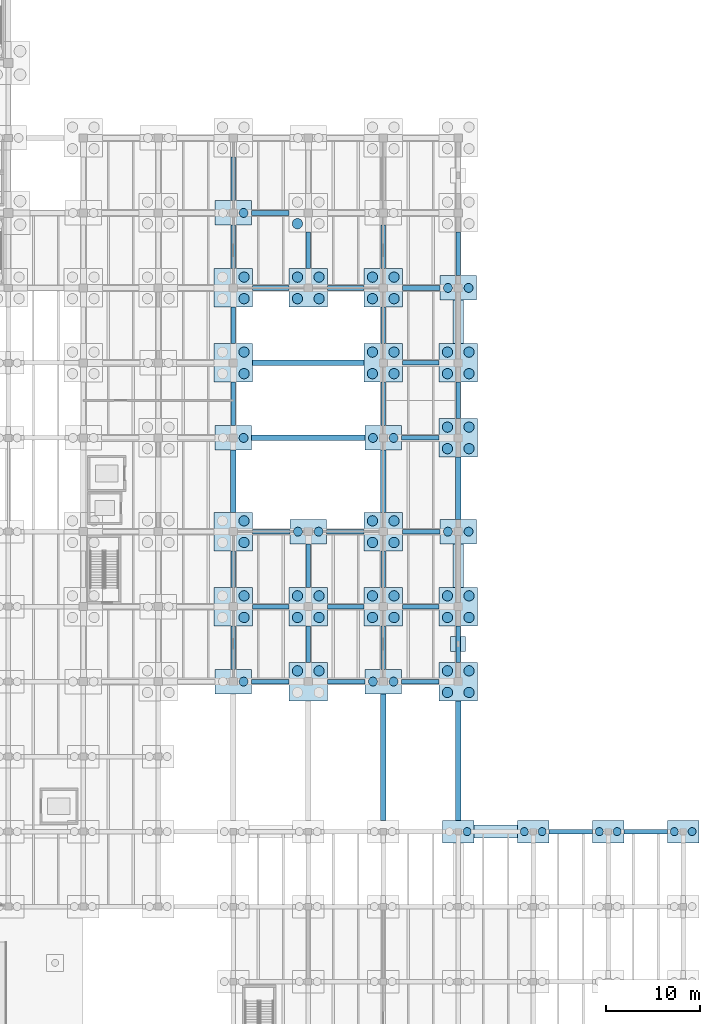
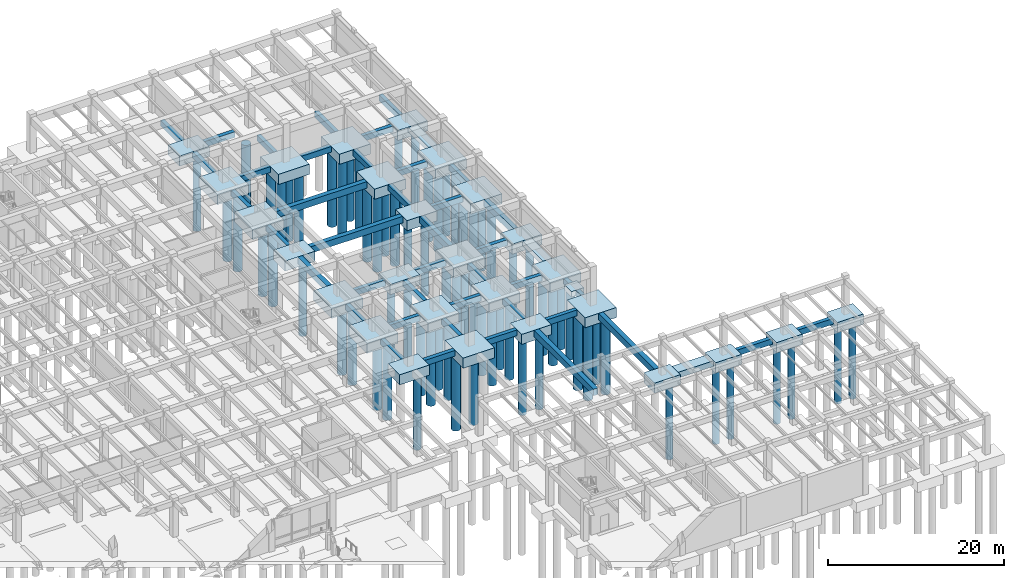
# One storey, part 8 of 44: 72 footings, 71 piles.
"""IFC4 building model written with IfcOpenShell, lengths in metres."""

from ifc_helpers import new_model, si_unit, direction, frame, origin, origin_2d, place, context, subcontext, project, spatial, rectangle, circle, extrude, material, material_profile, profile_set, type_object, element, save


model = new_model("IFC4")

# Units and contexts
model_context = context("Model", 3, precision=1e-05, world=origin(), true_north=direction((0.0, 1.0)))
body_context = subcontext(model_context, "Body", "Model", "MODEL_VIEW")
ifc_project = project(units=[si_unit("LENGTHUNIT", "METRE"), si_unit("AREAUNIT", "SQUARE_METRE"), si_unit("VOLUMEUNIT", "CUBIC_METRE"), si_unit("PLANEANGLEUNIT", "RADIAN"), si_unit("MASSUNIT", "GRAM", prefix="KILO")], contexts=[model_context])

# Site, building, storey
site_placement = place(None, origin())
site = spatial("IfcSite", under=ifc_project, at=site_placement, CompositionType="ELEMENT")
building_placement = place(site_placement, origin())
building = spatial("IfcBuilding", under=site, at=building_placement, Name="Pecanmere Concourse Central Library", CompositionType="ELEMENT")
storey_placement = place(building_placement, frame((0.0, 0.0, -5.39990234375)))
storey = spatial("IfcBuildingStorey", under=building, at=storey_placement, Name="B1", CompositionType="ELEMENT", Elevation=-5.39990234375)

# Footings
ifc_material_1 = material(Name="Concrete C40/50", Category="concrete")
ifc_material_profile_1 = material_profile(ifc_material_1, rectangle(XDim=0.5, YDim=0.800048828125, at=origin_2d()), Name="RC 500x800")
ifc_profile_set_1 = profile_set([ifc_material_profile_1], Name="Concrete C40/50")
footing_type_1 = type_object("IfcFootingType", Name="GBEAM_500x800", PredefinedType="FOOTING_BEAM", material=ifc_profile_set_1)
for number, where, z_axis, x_axis, name in (
    (1, (164.0, 32.0, -0.80029296875), (0.0, 0.0, 1.0), (1.0, 0.0, 0.0), "Foundation Tie Beam X-079"),
    (2, (172.0, 32.0, -0.80029296875), (0.0, 0.0, 1.0), (1.0, 0.0, 0.0), "Foundation Tie Beam X-080"),
):
    element("IfcFooting", number, at=place(storey_placement, frame(where, z_axis=z_axis, x_axis=x_axis)), inside=storey, type_object=footing_type_1, Name=name, PredefinedType="FOOTING_BEAM", context=body_context, shape_type="SweptSolid", body=[
        extrude(rectangle(XDim=4.60009765625, YDim=0.5, at=origin_2d()), origin(), (0.0, 0.0, 1.0), 0.800048828125),
    ])
for number, where, z_axis, x_axis, name in (
    (3, (131.949951171875, 48.0, -0.80029296875), (0.0, 0.0, 1.0), (1.0, 0.0, 0.0), "Foundation Tie Beam X-102"),
    (4, (140.050048828125, 48.0, -0.80029296875), (0.0, 0.0, 1.0), (1.0, 0.0, 0.0), "Foundation Tie Beam X-103"),
    (5, (147.949951171875, 48.0, -0.80029296875), (0.0, 0.0, 1.0), (1.0, 0.0, 0.0), "Foundation Tie Beam X-104"),
):
    element("IfcFooting", number, at=place(storey_placement, frame(where, z_axis=z_axis, x_axis=x_axis)), inside=storey, type_object=footing_type_1, Name=name, PredefinedType="FOOTING_BEAM", context=body_context, shape_type="SweptSolid", body=[
        extrude(rectangle(XDim=4.0, YDim=0.5, at=origin_2d()), origin(), (0.0, 0.0, 1.0), 0.800048828125),
    ])
for number, where, z_axis, x_axis, name in (
    (6, (132.0, 56.0, -0.80029296875), (0.0, 0.0, 1.0), (1.0, 0.0, 0.0), "Foundation Tie Beam X-118"),
    (7, (140.0, 56.0, -0.80029296875), (0.0, 0.0, 1.0), (1.0, 0.0, 0.0), "Foundation Tie Beam X-119"),
    (8, (148.0, 56.0, -0.80029296875), (0.0, 0.0, 1.0), (1.0, 0.0, 0.0), "Foundation Tie Beam X-120"),
):
    element("IfcFooting", number, at=place(storey_placement, frame(where, z_axis=z_axis, x_axis=x_axis)), inside=storey, type_object=footing_type_1, Name=name, PredefinedType="FOOTING_BEAM", context=body_context, shape_type="SweptSolid", body=[
        extrude(rectangle(XDim=3.89990234375, YDim=0.5, at=origin_2d()), origin(), (0.0, 0.0, 1.0), 0.800048828125),
    ])
for number, where, z_axis, x_axis, name in (
    (9, (132.050048828125, 64.0, -0.80029296875), (0.0, 0.0, 1.0), (1.0, 0.0, 0.0), "Foundation Tie Beam X-134"),
    (10, (139.949951171875, 64.0, -0.80029296875), (0.0, 0.0, 1.0), (1.0, 0.0, 0.0), "Foundation Tie Beam X-135"),
    (11, (148.050048828125, 64.0, -0.80029296875), (0.0, 0.0, 1.0), (1.0, 0.0, 0.0), "Foundation Tie Beam X-136"),
    (12, (147.949951171875, 74.0, -0.80029296875), (0.0, 0.0, 1.0), (1.0, 0.0, 0.0), "Foundation Tie Beam X-150"),
):
    element("IfcFooting", number, at=place(storey_placement, frame(where, z_axis=z_axis, x_axis=x_axis)), inside=storey, type_object=footing_type_1, Name=name, PredefinedType="FOOTING_BEAM", context=body_context, shape_type="SweptSolid", body=[
        extrude(rectangle(XDim=4.0, YDim=0.5, at=origin_2d()), origin(), (0.0, 0.0, 1.0), 0.800048828125),
    ])
for number, where, z_axis, x_axis, name in (
    (13, (148.0, 82.0, -0.80029296875), (0.0, 0.0, 1.0), (1.0, 0.0, 0.0), "Foundation Tie Beam X-164"),
    (14, (132.0, 90.0, -0.80029296875), (0.0, 0.0, 1.0), (1.0, 0.0, 0.0), "Foundation Tie Beam X-178"),
    (15, (140.0, 90.0, -0.80029296875), (0.0, 0.0, 1.0), (1.0, 0.0, 0.0), "Foundation Tie Beam X-179"),
):
    element("IfcFooting", number, at=place(storey_placement, frame(where, z_axis=z_axis, x_axis=x_axis)), inside=storey, type_object=footing_type_1, Name=name, PredefinedType="FOOTING_BEAM", context=body_context, shape_type="SweptSolid", body=[
        extrude(rectangle(XDim=3.89990234375, YDim=0.5, at=origin_2d()), origin(), (0.0, 0.0, 1.0), 0.800048828125),
    ])
for number, where, z_axis, x_axis, name in (
    (16, (148.050048828125, 90.0, -0.80029296875), (0.0, 0.0, 1.0), (1.0, 0.0, 0.0), "Foundation Tie Beam X-180"),
    (17, (131.949951171875, 98.0, -0.80029296875), (0.0, 0.0, 1.0), (1.0, 0.0, 0.0), "Foundation Tie Beam X-194"),
):
    element("IfcFooting", number, at=place(storey_placement, frame(where, z_axis=z_axis, x_axis=x_axis)), inside=storey, type_object=footing_type_1, Name=name, PredefinedType="FOOTING_BEAM", context=body_context, shape_type="SweptSolid", body=[
        extrude(rectangle(XDim=4.0, YDim=0.5, at=origin_2d()), origin(), (0.0, 0.0, 1.0), 0.800048828125),
    ])
footing_1_placement = place(storey_placement, frame((128.0, 51.625, -0.80029296875), z_axis=(0.0, 0.0, 1.0), x_axis=(0.0, 1.0, 0.0)))
element("IfcFooting", 18, at=footing_1_placement, inside=storey, type_object=footing_type_1, Name="Foundation Tie Beam Y-383", PredefinedType="FOOTING_BEAM", context=body_context, shape_type="SweptSolid", body=[
    extrude(rectangle(XDim=4.64990234375, YDim=0.5, at=origin_2d()), origin(), (0.0, 0.0, 1.0), 0.800048828125),
])
footing_2_placement = place(storey_placement, frame((128.0, 60.0, -0.80029296875), z_axis=(0.0, 0.0, 1.0), x_axis=(0.0, 1.0, 0.0)))
element("IfcFooting", 19, at=footing_2_placement, inside=storey, type_object=footing_type_1, Name="Foundation Tie Beam Y-384", PredefinedType="FOOTING_BEAM", context=body_context, shape_type="SweptSolid", body=[
    extrude(rectangle(XDim=3.89990234375, YDim=0.5, at=origin_2d()), origin(), (0.0, 0.0, 1.0), 0.800048828125),
])
footing_3_placement = place(storey_placement, frame((128.0, 77.625, -0.80029296875), z_axis=(0.0, 0.0, 1.0), x_axis=(0.0, 1.0, 0.0)))
element("IfcFooting", 20, at=footing_3_placement, inside=storey, type_object=footing_type_1, Name="Foundation Tie Beam Y-386", PredefinedType="FOOTING_BEAM", context=body_context, shape_type="SweptSolid", body=[
    extrude(rectangle(XDim=4.64990234375, YDim=0.5, at=origin_2d()), origin(), (0.0, 0.0, 1.0), 0.800048828125),
])
footing_4_placement = place(storey_placement, frame((128.0, 86.0, -0.80029296875), z_axis=(0.0, 0.0, 1.0), x_axis=(0.0, 1.0, 0.0)))
element("IfcFooting", 21, at=footing_4_placement, inside=storey, type_object=footing_type_1, Name="Foundation Tie Beam Y-387", PredefinedType="FOOTING_BEAM", context=body_context, shape_type="SweptSolid", body=[
    extrude(rectangle(XDim=3.89990234375, YDim=0.5, at=origin_2d()), origin(), (0.0, 0.0, 1.0), 0.800048828125),
])
for number, where, z_axis, x_axis, name in (
    (22, (128.0, 94.375, -0.80029296875), (0.0, 0.0, 1.0), (0.0, 1.0, 0.0), "Foundation Tie Beam Y-388"),
    (23, (128.0, 101.625, -0.80029296875), (0.0, 0.0, 1.0), (0.0, 1.0, 0.0), "Foundation Tie Beam Y-389"),
):
    element("IfcFooting", number, at=place(storey_placement, frame(where, z_axis=z_axis, x_axis=x_axis)), inside=storey, type_object=footing_type_1, Name=name, PredefinedType="FOOTING_BEAM", context=body_context, shape_type="SweptSolid", body=[
        extrude(rectangle(XDim=4.64990234375, YDim=0.5, at=origin_2d()), origin(), (0.0, 0.0, 1.0), 0.800048828125),
    ])
footing_5_placement = place(storey_placement, frame((136.0, 52.0, -0.80029296875), z_axis=(0.0, 0.0, 1.0), x_axis=(0.0, 1.0, 0.0)))
element("IfcFooting", 24, at=footing_5_placement, inside=storey, type_object=footing_type_1, Name="Foundation Tie Beam Y-395", PredefinedType="FOOTING_BEAM", context=body_context, shape_type="SweptSolid", body=[
    extrude(rectangle(XDim=3.89990234375, YDim=0.5, at=origin_2d()), origin(), (0.0, 0.0, 1.0), 0.800048828125),
])
footing_6_placement = place(storey_placement, frame((136.0, 60.375, -0.80029296875), z_axis=(0.0, 0.0, 1.0), x_axis=(0.0, 1.0, 0.0)))
element("IfcFooting", 25, at=footing_6_placement, inside=storey, type_object=footing_type_1, Name="Foundation Tie Beam Y-396", PredefinedType="FOOTING_BEAM", context=body_context, shape_type="SweptSolid", body=[
    extrude(rectangle(XDim=4.64990234375, YDim=0.5, at=origin_2d()), origin(), (0.0, 0.0, 1.0), 0.800048828125),
])
footing_7_placement = place(storey_placement, frame((136.0, 94.0, -0.80029296875), z_axis=(0.0, 0.0, 1.0), x_axis=(0.0, 1.0, 0.0)))
element("IfcFooting", 26, at=footing_7_placement, inside=storey, type_object=footing_type_1, Name="Foundation Tie Beam Y-397", PredefinedType="FOOTING_BEAM", context=body_context, shape_type="SweptSolid", body=[
    extrude(rectangle(XDim=3.89990234375, YDim=0.5, at=origin_2d()), origin(), (0.0, 0.0, 1.0), 0.800048828125),
])
footing_8_placement = place(storey_placement, frame((144.0, 51.625, -0.80029296875), z_axis=(0.0, 0.0, 1.0), x_axis=(0.0, 1.0, 0.0)))
element("IfcFooting", 27, at=footing_8_placement, inside=storey, type_object=footing_type_1, Name="Foundation Tie Beam Y-404", PredefinedType="FOOTING_BEAM", context=body_context, shape_type="SweptSolid", body=[
    extrude(rectangle(XDim=4.64990234375, YDim=0.5, at=origin_2d()), origin(), (0.0, 0.0, 1.0), 0.800048828125),
])
footing_9_placement = place(storey_placement, frame((144.0, 60.0, -0.80029296875), z_axis=(0.0, 0.0, 1.0), x_axis=(0.0, 1.0, 0.0)))
element("IfcFooting", 28, at=footing_9_placement, inside=storey, type_object=footing_type_1, Name="Foundation Tie Beam Y-405", PredefinedType="FOOTING_BEAM", context=body_context, shape_type="SweptSolid", body=[
    extrude(rectangle(XDim=3.89990234375, YDim=0.5, at=origin_2d()), origin(), (0.0, 0.0, 1.0), 0.800048828125),
])
footing_10_placement = place(storey_placement, frame((144.0, 77.625, -0.80029296875), z_axis=(0.0, 0.0, 1.0), x_axis=(0.0, 1.0, 0.0)))
element("IfcFooting", 29, at=footing_10_placement, inside=storey, type_object=footing_type_1, Name="Foundation Tie Beam Y-407", PredefinedType="FOOTING_BEAM", context=body_context, shape_type="SweptSolid", body=[
    extrude(rectangle(XDim=4.64990234375, YDim=0.5, at=origin_2d()), origin(), (0.0, 0.0, 1.0), 0.800048828125),
])
footing_11_placement = place(storey_placement, frame((144.0, 86.0, -0.80029296875), z_axis=(0.0, 0.0, 1.0), x_axis=(0.0, 1.0, 0.0)))
element("IfcFooting", 30, at=footing_11_placement, inside=storey, type_object=footing_type_1, Name="Foundation Tie Beam Y-408", PredefinedType="FOOTING_BEAM", context=body_context, shape_type="SweptSolid", body=[
    extrude(rectangle(XDim=3.89990234375, YDim=0.5, at=origin_2d()), origin(), (0.0, 0.0, 1.0), 0.800048828125),
])
footing_12_placement = place(storey_placement, frame((144.0, 94.375, -0.80029296875), z_axis=(0.0, 0.0, 1.0), x_axis=(0.0, 1.0, 0.0)))
element("IfcFooting", 31, at=footing_12_placement, inside=storey, type_object=footing_type_1, Name="Foundation Tie Beam Y-409", PredefinedType="FOOTING_BEAM", context=body_context, shape_type="SweptSolid", body=[
    extrude(rectangle(XDim=4.64990234375, YDim=0.5, at=origin_2d()), origin(), (0.0, 0.0, 1.0), 0.800048828125),
])
for number, where, z_axis, x_axis, name in (
    (32, (152.0, 52.0, -0.80029296875), (0.0, 0.0, 1.0), (0.0, 1.0, 0.0), "Foundation Tie Beam Y-416"),
    (33, (152.0, 78.0, -0.80029296875), (0.0, 0.0, 1.0), (0.0, 1.0, 0.0), "Foundation Tie Beam Y-419"),
):
    element("IfcFooting", number, at=place(storey_placement, frame(where, z_axis=z_axis, x_axis=x_axis)), inside=storey, type_object=footing_type_1, Name=name, PredefinedType="FOOTING_BEAM", context=body_context, shape_type="SweptSolid", body=[
        extrude(rectangle(XDim=3.89990234375, YDim=0.5, at=origin_2d()), origin(), (0.0, 0.0, 1.0), 0.800048828125),
    ])
footing_13_placement = place(storey_placement, frame((152.0, 93.625, -0.80029296875), z_axis=(0.0, 0.0, 1.0), x_axis=(0.0, 1.0, 0.0)))
element("IfcFooting", 34, at=footing_13_placement, inside=storey, type_object=footing_type_1, Name="Foundation Tie Beam Y-421", PredefinedType="FOOTING_BEAM", context=body_context, shape_type="SweptSolid", body=[
    extrude(rectangle(XDim=4.64990234375, YDim=0.5, at=origin_2d()), origin(), (0.0, 0.0, 1.0), 0.800048828125),
])
ifc_material_2 = material(Name="Concrete C40/50", Category="concrete")
ifc_material_profile_2 = material_profile(ifc_material_2, rectangle(XDim=0.60009765625, YDim=0.89990234375, at=origin_2d()), Name="RC 600x900")
ifc_profile_set_2 = profile_set([ifc_material_profile_2], Name="Concrete C40/50")
footing_type_2 = type_object("IfcFootingType", Name="GBEAM_600x900", PredefinedType="FOOTING_BEAM", material=ifc_profile_set_2)
footing_14_placement = place(storey_placement, frame((136.0, 74.0, -0.900146484375), z_axis=(0.0, 0.0, 1.0), x_axis=(1.0, 0.0, 0.0)))
element("IfcFooting", 35, at=footing_14_placement, inside=storey, type_object=footing_type_2, Name="Foundation Tie Beam X-149", PredefinedType="FOOTING_BEAM", context=body_context, shape_type="SweptSolid", body=[
    extrude(rectangle(XDim=12.10009765625, YDim=0.60009765625, at=origin_2d()), origin(), (0.0, 0.0, 1.0), 0.89990234375),
])
footing_15_placement = place(storey_placement, frame((136.0, 82.0, -0.900146484375), z_axis=(0.0, 0.0, 1.0), x_axis=(1.0, 0.0, 0.0)))
element("IfcFooting", 36, at=footing_15_placement, inside=storey, type_object=footing_type_2, Name="Foundation Tie Beam X-163", PredefinedType="FOOTING_BEAM", context=body_context, shape_type="SweptSolid", body=[
    extrude(rectangle(XDim=11.89990234375, YDim=0.60009765625, at=origin_2d()), origin(), (0.0, 0.0, 1.0), 0.89990234375),
])
footing_16_placement = place(storey_placement, frame((128.0, 69.375, -0.900146484375), z_axis=(0.0, 0.0, 1.0), x_axis=(0.0, 1.0, 0.0)))
element("IfcFooting", 37, at=footing_16_placement, inside=storey, type_object=footing_type_2, Name="Foundation Tie Beam Y-385", PredefinedType="FOOTING_BEAM", context=body_context, shape_type="SweptSolid", body=[
    extrude(rectangle(XDim=6.64990234375, YDim=0.60009765625, at=origin_2d()), origin(), (0.0, 0.0, 1.0), 0.89990234375),
])
footing_17_placement = place(storey_placement, frame((144.0, 39.949951171875, -0.900146484375), z_axis=(0.0, 0.0, 1.0), x_axis=(0.0, 1.0, 0.0)))
element("IfcFooting", 38, at=footing_17_placement, inside=storey, type_object=footing_type_2, Name="Foundation Tie Beam Y-403", PredefinedType="FOOTING_BEAM", context=body_context, shape_type="SweptSolid", body=[
    extrude(rectangle(XDim=13.5, YDim=0.60009765625, at=origin_2d()), origin(), (0.0, 0.0, 1.0), 0.89990234375),
])
footing_18_placement = place(storey_placement, frame((144.0, 69.375, -0.900146484375), z_axis=(0.0, 0.0, 1.0), x_axis=(0.0, 1.0, 0.0)))
element("IfcFooting", 39, at=footing_18_placement, inside=storey, type_object=footing_type_2, Name="Foundation Tie Beam Y-406", PredefinedType="FOOTING_BEAM", context=body_context, shape_type="SweptSolid", body=[
    extrude(rectangle(XDim=6.64990234375, YDim=0.60009765625, at=origin_2d()), origin(), (0.0, 0.0, 1.0), 0.89990234375),
])
footing_19_placement = place(storey_placement, frame((152.0, 39.574951171875, -0.900146484375), z_axis=(0.0, 0.0, 1.0), x_axis=(0.0, 1.0, 0.0)))
element("IfcFooting", 40, at=footing_19_placement, inside=storey, type_object=footing_type_2, Name="Foundation Tie Beam Y-415", PredefinedType="FOOTING_BEAM", context=body_context, shape_type="SweptSolid", body=[
    extrude(rectangle(XDim=12.75, YDim=0.60009765625, at=origin_2d()), origin(), (0.0, 0.0, 1.0), 0.89990234375),
])
footing_20_placement = place(storey_placement, frame((152.0, 68.625, -0.900146484375), z_axis=(0.0, 0.0, 1.0), x_axis=(0.0, 1.0, 0.0)))
element("IfcFooting", 41, at=footing_20_placement, inside=storey, type_object=footing_type_2, Name="Foundation Tie Beam Y-418", PredefinedType="FOOTING_BEAM", context=body_context, shape_type="SweptSolid", body=[
    extrude(rectangle(XDim=6.64990234375, YDim=0.60009765625, at=origin_2d()), origin(), (0.0, 0.0, 1.0), 0.89990234375),
])
ifc_material_3 = material(Name="Concrete C35/45", Category="concrete")
footing_type_3 = type_object("IfcFootingType", Name="PAD_1600x1600", PredefinedType="PAD_FOOTING", material=ifc_material_3)
footing_21_placement = place(storey_placement, frame((152.0, 52.0, -0.75), z_axis=(0.0, 0.0, 1.0), x_axis=(1.0, 0.0, 0.0)))
element("IfcFooting", 42, at=footing_21_placement, inside=storey, type_object=footing_type_3, Name="Pilaster Pad Footing 03", PredefinedType="PAD_FOOTING", context=body_context, shape_type="SweptSolid", body=[
    extrude(rectangle(XDim=1.60009765625, YDim=1.60009765625, at=origin_2d()), origin(), (0.0, 0.0, 1.0), 0.75),
])
ifc_material_4 = material(Name="Concrete C40/50", Category="concrete")
footing_type_4 = type_object("IfcFootingType", Name="PCAP_3400x2400", PredefinedType="PILE_CAP", material=ifc_material_4)
for number, where, z_axis, x_axis, name in (
    (43, (152.0, 32.0, -1.400146484375), (0.0, 0.0, 1.0), (1.0, 0.0, 0.0), "Drilled Pier Cap PC-05 at (152,32)"),
    (44, (160.0, 32.0, -1.400146484375), (0.0, 0.0, 1.0), (1.0, 0.0, 0.0), "Drilled Pier Cap PC-05 at (160,32)"),
    (45, (168.0, 32.0, -1.400146484375), (0.0, 0.0, 1.0), (1.0, 0.0, 0.0), "Drilled Pier Cap PC-05 at (168,32)"),
    (46, (176.0, 32.0, -1.400146484375), (0.0, 0.0, 1.0), (1.0, 0.0, 0.0), "Drilled Pier Cap PC-05 at (176,32)"),
):
    element("IfcFooting", number, at=place(storey_placement, frame(where, z_axis=z_axis, x_axis=x_axis)), inside=storey, type_object=footing_type_4, Name=name, PredefinedType="PILE_CAP", context=body_context, shape_type="SweptSolid", body=[
        extrude(rectangle(XDim=3.39990234375, YDim=2.39990234375, at=origin_2d()), origin(), (0.0, 0.0, 1.0), 1.39990234375),
    ])
ifc_material_5 = material(Name="Concrete C40/50", Category="concrete")
footing_type_5 = type_object("IfcFootingType", Name="PCAP_3900x2600", PredefinedType="PILE_CAP", material=ifc_material_5)
for number, where, z_axis, x_axis, name in (
    (47, (128.0, 48.0, -1.400146484375), (0.0, 0.0, 1.0), (1.0, 0.0, 0.0), "Drilled Pier Cap PC-04 at (128,48)"),
    (48, (128.0, 74.0, -1.400146484375), (0.0, 0.0, 1.0), (1.0, 0.0, 0.0), "Drilled Pier Cap PC-04 at (128,74)"),
    (49, (128.0, 98.0, -1.400146484375), (0.0, 0.0, 1.0), (1.0, 0.0, 0.0), "Drilled Pier Cap PC-04 at (128,98)"),
    (50, (136.0, 64.0, -1.400146484375), (0.0, 0.0, 1.0), (1.0, 0.0, 0.0), "Drilled Pier Cap PC-04 at (136,64)"),
    (51, (144.0, 48.0, -1.400146484375), (0.0, 0.0, 1.0), (1.0, 0.0, 0.0), "Drilled Pier Cap PC-04 at (144,48)"),
    (52, (144.0, 74.0, -1.400146484375), (0.0, 0.0, 1.0), (1.0, 0.0, 0.0), "Drilled Pier Cap PC-04 at (144,74)"),
    (53, (152.0, 64.0, -1.400146484375), (0.0, 0.0, 1.0), (1.0, 0.0, 0.0), "Drilled Pier Cap PC-04 at (152,64)"),
    (54, (152.0, 90.0, -1.400146484375), (0.0, 0.0, 1.0), (1.0, 0.0, 0.0), "Drilled Pier Cap PC-04 at (152,90)"),
):
    element("IfcFooting", number, at=place(storey_placement, frame(where, z_axis=z_axis, x_axis=x_axis)), inside=storey, type_object=footing_type_5, Name=name, PredefinedType="PILE_CAP", context=body_context, shape_type="SweptSolid", body=[
        extrude(rectangle(XDim=3.89990234375, YDim=2.60009765625, at=origin_2d()), origin(), (0.0, 0.0, 1.0), 1.39990234375),
    ])
ifc_material_6 = material(Name="Concrete C40/50", Category="concrete")
footing_type_6 = type_object("IfcFootingType", Name="PCAP_4100x4100", PredefinedType="PILE_CAP", material=ifc_material_6)
for number, where, z_axis, x_axis, name in (
    (55, (128.0, 56.0, -1.400146484375), (0.0, 0.0, 1.0), (1.0, 0.0, 0.0), "Drilled Pier Cap PC-02 at (128,56)"),
    (56, (128.0, 64.0, -1.400146484375), (0.0, 0.0, 1.0), (1.0, 0.0, 0.0), "Drilled Pier Cap PC-02 at (128,64)"),
    (57, (128.0, 82.0, -1.400146484375), (0.0, 0.0, 1.0), (1.0, 0.0, 0.0), "Drilled Pier Cap PC-02 at (128,82)"),
    (58, (128.0, 90.0, -1.400146484375), (0.0, 0.0, 1.0), (1.0, 0.0, 0.0), "Drilled Pier Cap PC-02 at (128,90)"),
    (59, (136.0, 48.0, -1.400146484375), (0.0, 0.0, 1.0), (1.0, 0.0, 0.0), "Drilled Pier Cap PC-02 at (136,48)"),
    (60, (136.0, 56.0, -1.400146484375), (0.0, 0.0, 1.0), (1.0, 0.0, 0.0), "Drilled Pier Cap PC-02 at (136,56)"),
    (61, (136.0, 90.0, -1.400146484375), (0.0, 0.0, 1.0), (1.0, 0.0, 0.0), "Drilled Pier Cap PC-02 at (136,90)"),
    (62, (144.0, 56.0, -1.400146484375), (0.0, 0.0, 1.0), (1.0, 0.0, 0.0), "Drilled Pier Cap PC-02 at (144,56)"),
    (63, (144.0, 64.0, -1.400146484375), (0.0, 0.0, 1.0), (1.0, 0.0, 0.0), "Drilled Pier Cap PC-02 at (144,64)"),
    (64, (144.0, 82.0, -1.400146484375), (0.0, 0.0, 1.0), (1.0, 0.0, 0.0), "Drilled Pier Cap PC-02 at (144,82)"),
    (65, (144.0, 90.0, -1.400146484375), (0.0, 0.0, 1.0), (1.0, 0.0, 0.0), "Drilled Pier Cap PC-02 at (144,90)"),
    (66, (152.0, 48.0, -1.400146484375), (0.0, 0.0, 1.0), (1.0, 0.0, 0.0), "Drilled Pier Cap PC-02 at (152,48)"),
    (67, (152.0, 56.0, -1.400146484375), (0.0, 0.0, 1.0), (1.0, 0.0, 0.0), "Drilled Pier Cap PC-02 at (152,56)"),
    (68, (152.0, 74.0, -1.400146484375), (0.0, 0.0, 1.0), (1.0, 0.0, 0.0), "Drilled Pier Cap PC-02 at (152,74)"),
    (69, (152.0, 82.0, -1.400146484375), (0.0, 0.0, 1.0), (1.0, 0.0, 0.0), "Drilled Pier Cap PC-02 at (152,82)"),
):
    element("IfcFooting", number, at=place(storey_placement, frame(where, z_axis=z_axis, x_axis=x_axis)), inside=storey, type_object=footing_type_6, Name=name, PredefinedType="PILE_CAP", context=body_context, shape_type="SweptSolid", body=[
        extrude(rectangle(XDim=4.10009765625, YDim=4.10009765625, at=origin_2d()), origin(), (0.0, 0.0, 1.0), 1.39990234375),
    ])

# Piles
ifc_material_7 = material(Name="Concrete C35/45", Category="concrete")
ifc_material_profile_3 = material_profile(ifc_material_7, circle(Radius=0.550048828125, at=origin_2d()), Name="PIER D1100")
ifc_profile_set_3 = profile_set([ifc_material_profile_3], Name="Concrete C35/45")
pile_type_1 = type_object("IfcPileType", Name="PILE_D1100", PredefinedType="BORED", material=ifc_profile_set_3)
for number, where, z_axis, x_axis, name in (
    (70, (129.14990234375, 54.85009765625, -1.300048828125), (0.0, 0.0, -1.0), (1.0, 0.0, 0.0), "Bored Pier PL-03 181.2"),
    (71, (129.14990234375, 57.14990234375, -1.300048828125), (0.0, 0.0, -1.0), (1.0, 0.0, 0.0), "Bored Pier PL-03 181.4"),
    (72, (129.14990234375, 62.85009765625, -1.300048828125), (0.0, 0.0, -1.0), (1.0, 0.0, 0.0), "Bored Pier PL-03 182.2"),
    (73, (129.14990234375, 65.14990234375, -1.300048828125), (0.0, 0.0, -1.0), (1.0, 0.0, 0.0), "Bored Pier PL-03 182.4"),
    (74, (129.14990234375, 80.85009765625, -1.300048828125), (0.0, 0.0, -1.0), (1.0, 0.0, 0.0), "Bored Pier PL-03 184.2"),
    (75, (129.14990234375, 83.14990234375, -1.300048828125), (0.0, 0.0, -1.0), (1.0, 0.0, 0.0), "Bored Pier PL-03 184.4"),
    (76, (129.14990234375, 88.85009765625, -1.300048828125), (0.0, 0.0, -1.0), (1.0, 0.0, 0.0), "Bored Pier PL-03 185.2"),
    (77, (129.14990234375, 91.14990234375, -1.300048828125), (0.0, 0.0, -1.0), (1.0, 0.0, 0.0), "Bored Pier PL-03 185.4"),
    (78, (134.85009765625, 49.14990234375, -1.300048828125), (0.0, 0.0, -1.0), (1.0, 0.0, 0.0), "Bored Pier PL-03 193.3"),
    (79, (137.14990234375, 49.14990234375, -1.300048828125), (0.0, 0.0, -1.0), (1.0, 0.0, 0.0), "Bored Pier PL-03 193.4"),
    (80, (134.85009765625, 54.85009765625, -1.300048828125), (0.0, 0.0, -1.0), (1.0, 0.0, 0.0), "Bored Pier PL-03 194.1"),
    (81, (137.14990234375, 54.85009765625, -1.300048828125), (0.0, 0.0, -1.0), (1.0, 0.0, 0.0), "Bored Pier PL-03 194.2"),
    (82, (134.85009765625, 57.14990234375, -1.300048828125), (0.0, 0.0, -1.0), (1.0, 0.0, 0.0), "Bored Pier PL-03 194.3"),
    (83, (137.14990234375, 57.14990234375, -1.300048828125), (0.0, 0.0, -1.0), (1.0, 0.0, 0.0), "Bored Pier PL-03 194.4"),
    (84, (134.85009765625, 88.85009765625, -1.300048828125), (0.0, 0.0, -1.0), (1.0, 0.0, 0.0), "Bored Pier PL-03 196.1"),
    (85, (137.14990234375, 88.85009765625, -1.300048828125), (0.0, 0.0, -1.0), (1.0, 0.0, 0.0), "Bored Pier PL-03 196.2"),
    (86, (134.85009765625, 91.14990234375, -1.300048828125), (0.0, 0.0, -1.0), (1.0, 0.0, 0.0), "Bored Pier PL-03 196.3"),
    (87, (137.14990234375, 91.14990234375, -1.300048828125), (0.0, 0.0, -1.0), (1.0, 0.0, 0.0), "Bored Pier PL-03 196.4"),
    (88, (134.85009765625, 96.85009765625, -1.300048828125), (0.0, 0.0, -1.0), (1.0, 0.0, 0.0), "Bored Pier PL-03 197.1"),
    (89, (142.85009765625, 54.85009765625, -1.300048828125), (0.0, 0.0, -1.0), (1.0, 0.0, 0.0), "Bored Pier PL-03 205.1"),
    (90, (145.14990234375, 54.85009765625, -1.300048828125), (0.0, 0.0, -1.0), (1.0, 0.0, 0.0), "Bored Pier PL-03 205.2"),
    (91, (142.85009765625, 57.14990234375, -1.300048828125), (0.0, 0.0, -1.0), (1.0, 0.0, 0.0), "Bored Pier PL-03 205.3"),
    (92, (145.14990234375, 57.14990234375, -1.300048828125), (0.0, 0.0, -1.0), (1.0, 0.0, 0.0), "Bored Pier PL-03 205.4"),
    (93, (142.85009765625, 62.85009765625, -1.300048828125), (0.0, 0.0, -1.0), (1.0, 0.0, 0.0), "Bored Pier PL-03 206.1"),
    (94, (145.14990234375, 62.85009765625, -1.300048828125), (0.0, 0.0, -1.0), (1.0, 0.0, 0.0), "Bored Pier PL-03 206.2"),
    (95, (142.85009765625, 65.14990234375, -1.300048828125), (0.0, 0.0, -1.0), (1.0, 0.0, 0.0), "Bored Pier PL-03 206.3"),
    (96, (145.14990234375, 65.14990234375, -1.300048828125), (0.0, 0.0, -1.0), (1.0, 0.0, 0.0), "Bored Pier PL-03 206.4"),
    (97, (142.85009765625, 80.85009765625, -1.300048828125), (0.0, 0.0, -1.0), (1.0, 0.0, 0.0), "Bored Pier PL-03 208.1"),
    (98, (145.14990234375, 80.85009765625, -1.300048828125), (0.0, 0.0, -1.0), (1.0, 0.0, 0.0), "Bored Pier PL-03 208.2"),
    (99, (142.85009765625, 83.14990234375, -1.300048828125), (0.0, 0.0, -1.0), (1.0, 0.0, 0.0), "Bored Pier PL-03 208.3"),
    (100, (145.14990234375, 83.14990234375, -1.300048828125), (0.0, 0.0, -1.0), (1.0, 0.0, 0.0), "Bored Pier PL-03 208.4"),
    (101, (142.85009765625, 88.85009765625, -1.300048828125), (0.0, 0.0, -1.0), (1.0, 0.0, 0.0), "Bored Pier PL-03 209.1"),
    (102, (145.14990234375, 88.85009765625, -1.300048828125), (0.0, 0.0, -1.0), (1.0, 0.0, 0.0), "Bored Pier PL-03 209.2"),
    (103, (142.85009765625, 91.14990234375, -1.300048828125), (0.0, 0.0, -1.0), (1.0, 0.0, 0.0), "Bored Pier PL-03 209.3"),
    (104, (145.14990234375, 91.14990234375, -1.300048828125), (0.0, 0.0, -1.0), (1.0, 0.0, 0.0), "Bored Pier PL-03 209.4"),
    (105, (150.85009765625, 46.85009765625, -1.300048828125), (0.0, 0.0, -1.0), (1.0, 0.0, 0.0), "Bored Pier PL-03 217.1"),
    (106, (153.14990234375, 46.85009765625, -1.300048828125), (0.0, 0.0, -1.0), (1.0, 0.0, 0.0), "Bored Pier PL-03 217.2"),
    (107, (150.85009765625, 49.14990234375, -1.300048828125), (0.0, 0.0, -1.0), (1.0, 0.0, 0.0), "Bored Pier PL-03 217.3"),
    (108, (153.14990234375, 49.14990234375, -1.300048828125), (0.0, 0.0, -1.0), (1.0, 0.0, 0.0), "Bored Pier PL-03 217.4"),
    (109, (150.85009765625, 54.85009765625, -1.300048828125), (0.0, 0.0, -1.0), (1.0, 0.0, 0.0), "Bored Pier PL-03 218.1"),
    (110, (153.14990234375, 54.85009765625, -1.300048828125), (0.0, 0.0, -1.0), (1.0, 0.0, 0.0), "Bored Pier PL-03 218.2"),
    (111, (150.85009765625, 57.14990234375, -1.300048828125), (0.0, 0.0, -1.0), (1.0, 0.0, 0.0), "Bored Pier PL-03 218.3"),
    (112, (153.14990234375, 57.14990234375, -1.300048828125), (0.0, 0.0, -1.0), (1.0, 0.0, 0.0), "Bored Pier PL-03 218.4"),
    (113, (150.85009765625, 72.85009765625, -1.300048828125), (0.0, 0.0, -1.0), (1.0, 0.0, 0.0), "Bored Pier PL-03 220.1"),
    (114, (153.14990234375, 72.85009765625, -1.300048828125), (0.0, 0.0, -1.0), (1.0, 0.0, 0.0), "Bored Pier PL-03 220.2"),
    (115, (150.85009765625, 75.14990234375, -1.300048828125), (0.0, 0.0, -1.0), (1.0, 0.0, 0.0), "Bored Pier PL-03 220.3"),
    (116, (153.14990234375, 75.14990234375, -1.300048828125), (0.0, 0.0, -1.0), (1.0, 0.0, 0.0), "Bored Pier PL-03 220.4"),
    (117, (150.85009765625, 80.85009765625, -1.300048828125), (0.0, 0.0, -1.0), (1.0, 0.0, 0.0), "Bored Pier PL-03 221.1"),
    (118, (153.14990234375, 80.85009765625, -1.300048828125), (0.0, 0.0, -1.0), (1.0, 0.0, 0.0), "Bored Pier PL-03 221.2"),
    (119, (150.85009765625, 83.14990234375, -1.300048828125), (0.0, 0.0, -1.0), (1.0, 0.0, 0.0), "Bored Pier PL-03 221.3"),
    (120, (153.14990234375, 83.14990234375, -1.300048828125), (0.0, 0.0, -1.0), (1.0, 0.0, 0.0), "Bored Pier PL-03 221.4"),
):
    element("IfcPile", number, at=place(storey_placement, frame(where, z_axis=z_axis, x_axis=x_axis)), inside=storey, type_object=pile_type_1, Name=name, PredefinedType="BORED", context=body_context, shape_type="SweptSolid", body=[
        extrude(circle(Radius=0.550048828125, at=origin_2d()), origin(), (0.0, 0.0, 1.0), 10.699951171875),
    ])
ifc_material_8 = material(Name="Concrete C35/45", Category="concrete")
ifc_material_profile_4 = material_profile(ifc_material_8, circle(Radius=0.425048828125, at=origin_2d()), Name="PIER D850")
ifc_profile_set_4 = profile_set([ifc_material_profile_4], Name="Concrete C35/45")
pile_type_2 = type_object("IfcPileType", Name="PILE_D850", PredefinedType="BORED", material=ifc_profile_set_4)
for number, where, z_axis, x_axis, name in (
    (121, (152.949951171875, 32.0, -1.300048828125), (0.0, 0.0, -1.0), (1.0, 0.0, 0.0), "Bored Pier PL-05 216.2"),
    (122, (159.050048828125, 32.0, -1.300048828125), (0.0, 0.0, -1.0), (1.0, 0.0, 0.0), "Bored Pier PL-05 229.1"),
    (123, (160.949951171875, 32.0, -1.300048828125), (0.0, 0.0, -1.0), (1.0, 0.0, 0.0), "Bored Pier PL-05 229.2"),
    (124, (167.050048828125, 32.0, -1.300048828125), (0.0, 0.0, -1.0), (1.0, 0.0, 0.0), "Bored Pier PL-05 234.1"),
    (125, (168.949951171875, 32.0, -1.300048828125), (0.0, 0.0, -1.0), (1.0, 0.0, 0.0), "Bored Pier PL-05 234.2"),
    (126, (175.050048828125, 32.0, -1.300048828125), (0.0, 0.0, -1.0), (1.0, 0.0, 0.0), "Bored Pier PL-05 239.1"),
    (127, (176.949951171875, 32.0, -1.300048828125), (0.0, 0.0, -1.0), (1.0, 0.0, 0.0), "Bored Pier PL-05 239.2"),
):
    element("IfcPile", number, at=place(storey_placement, frame(where, z_axis=z_axis, x_axis=x_axis)), inside=storey, type_object=pile_type_2, Name=name, PredefinedType="BORED", context=body_context, shape_type="SweptSolid", body=[
        extrude(circle(Radius=0.425048828125, at=origin_2d()), origin(), (0.0, 0.0, 1.0), 10.699951171875),
    ])
ifc_material_9 = material(Name="Concrete C35/45", Category="concrete")
ifc_material_profile_5 = material_profile(ifc_material_9, circle(Radius=0.47509765625, at=origin_2d()), Name="PIER D950")
ifc_profile_set_5 = profile_set([ifc_material_profile_5], Name="Concrete C35/45")
pile_type_3 = type_object("IfcPileType", Name="PILE_D950", PredefinedType="BORED", material=ifc_profile_set_5)
for number, where, z_axis, x_axis, name in (
    (128, (129.10009765625, 48.0, -1.300048828125), (0.0, 0.0, -1.0), (1.0, 0.0, 0.0), "Bored Pier PL-04 180.2"),
    (129, (129.10009765625, 74.0, -1.300048828125), (0.0, 0.0, -1.0), (1.0, 0.0, 0.0), "Bored Pier PL-04 183.2"),
    (130, (129.10009765625, 98.0, -1.300048828125), (0.0, 0.0, -1.0), (1.0, 0.0, 0.0), "Bored Pier PL-04 186.2"),
    (131, (134.89990234375, 64.0, -1.300048828125), (0.0, 0.0, -1.0), (1.0, 0.0, 0.0), "Bored Pier PL-04 195.1"),
    (132, (137.10009765625, 64.0, -1.300048828125), (0.0, 0.0, -1.0), (1.0, 0.0, 0.0), "Bored Pier PL-04 195.2"),
    (133, (142.89990234375, 48.0, -1.300048828125), (0.0, 0.0, -1.0), (1.0, 0.0, 0.0), "Bored Pier PL-04 204.1"),
    (134, (145.10009765625, 48.0, -1.300048828125), (0.0, 0.0, -1.0), (1.0, 0.0, 0.0), "Bored Pier PL-04 204.2"),
    (135, (142.89990234375, 74.0, -1.300048828125), (0.0, 0.0, -1.0), (1.0, 0.0, 0.0), "Bored Pier PL-04 207.1"),
    (136, (145.10009765625, 74.0, -1.300048828125), (0.0, 0.0, -1.0), (1.0, 0.0, 0.0), "Bored Pier PL-04 207.2"),
    (137, (150.89990234375, 64.0, -1.300048828125), (0.0, 0.0, -1.0), (1.0, 0.0, 0.0), "Bored Pier PL-04 219.1"),
    (138, (153.10009765625, 64.0, -1.300048828125), (0.0, 0.0, -1.0), (1.0, 0.0, 0.0), "Bored Pier PL-04 219.2"),
    (139, (150.89990234375, 90.0, -1.300048828125), (0.0, 0.0, -1.0), (1.0, 0.0, 0.0), "Bored Pier PL-04 222.1"),
    (140, (153.10009765625, 90.0, -1.300048828125), (0.0, 0.0, -1.0), (1.0, 0.0, 0.0), "Bored Pier PL-04 222.2"),
):
    element("IfcPile", number, at=place(storey_placement, frame(where, z_axis=z_axis, x_axis=x_axis)), inside=storey, type_object=pile_type_3, Name=name, PredefinedType="BORED", context=body_context, shape_type="SweptSolid", body=[
        extrude(circle(Radius=0.47509765625, at=origin_2d()), origin(), (0.0, 0.0, 1.0), 10.699951171875),
    ])

# Footings
ifc_material_10 = material(Name="Concrete C40/50", Category="concrete")
ifc_material_profile_6 = material_profile(ifc_material_10, rectangle(XDim=1.14990234375, YDim=0.699951171875, at=origin_2d()), Name="RC 1150x700")
ifc_profile_set_6 = profile_set([ifc_material_profile_6], Name="Concrete C40/50")
footing_type_7 = type_object("IfcFootingType", Name="STRIP_1150x700", PredefinedType="STRIP_FOOTING", material=ifc_profile_set_6)
for number, where, z_axis, x_axis, name in (
    (141, (152.0, 60.375, -0.7001953125), (0.0, 0.0, 1.0), (0.0, 1.0, 0.0), "Foundation Tie Beam Y-417"),
    (142, (152.0, 86.375, -0.7001953125), (0.0, 0.0, 1.0), (0.0, 1.0, 0.0), "Foundation Tie Beam Y-420"),
):
    element("IfcFooting", number, at=place(storey_placement, frame(where, z_axis=z_axis, x_axis=x_axis)), inside=storey, type_object=footing_type_7, Name=name, PredefinedType="STRIP_FOOTING", context=body_context, shape_type="SweptSolid", body=[
        extrude(rectangle(XDim=4.64990234375, YDim=1.14990234375, at=origin_2d()), origin(), (0.0, 0.0, 1.0), 0.699951171875),
    ])
ifc_material_11 = material(Name="Concrete C40/50", Category="concrete")
ifc_material_profile_7 = material_profile(ifc_material_11, rectangle(XDim=1.39990234375, YDim=0.800048828125, at=origin_2d()), Name="RC 1400x800")
ifc_profile_set_7 = profile_set([ifc_material_profile_7], Name="Concrete C40/50")
footing_type_8 = type_object("IfcFootingType", Name="STRIP_1400x800", PredefinedType="STRIP_FOOTING", material=ifc_profile_set_7)
footing_22_placement = place(storey_placement, frame((156.0, 32.0, -0.80029296875), z_axis=(0.0, 0.0, 1.0), x_axis=(1.0, 0.0, 0.0)))
element("IfcFooting", 143, at=footing_22_placement, inside=storey, type_object=footing_type_8, Name="Foundation Tie Beam X-078", PredefinedType="STRIP_FOOTING", context=body_context, shape_type="SweptSolid", body=[
    extrude(rectangle(XDim=4.60009765625, YDim=1.39990234375, at=origin_2d()), origin(), (0.0, 0.0, 1.0), 0.800048828125),
])

save(model, "model.ifc")
